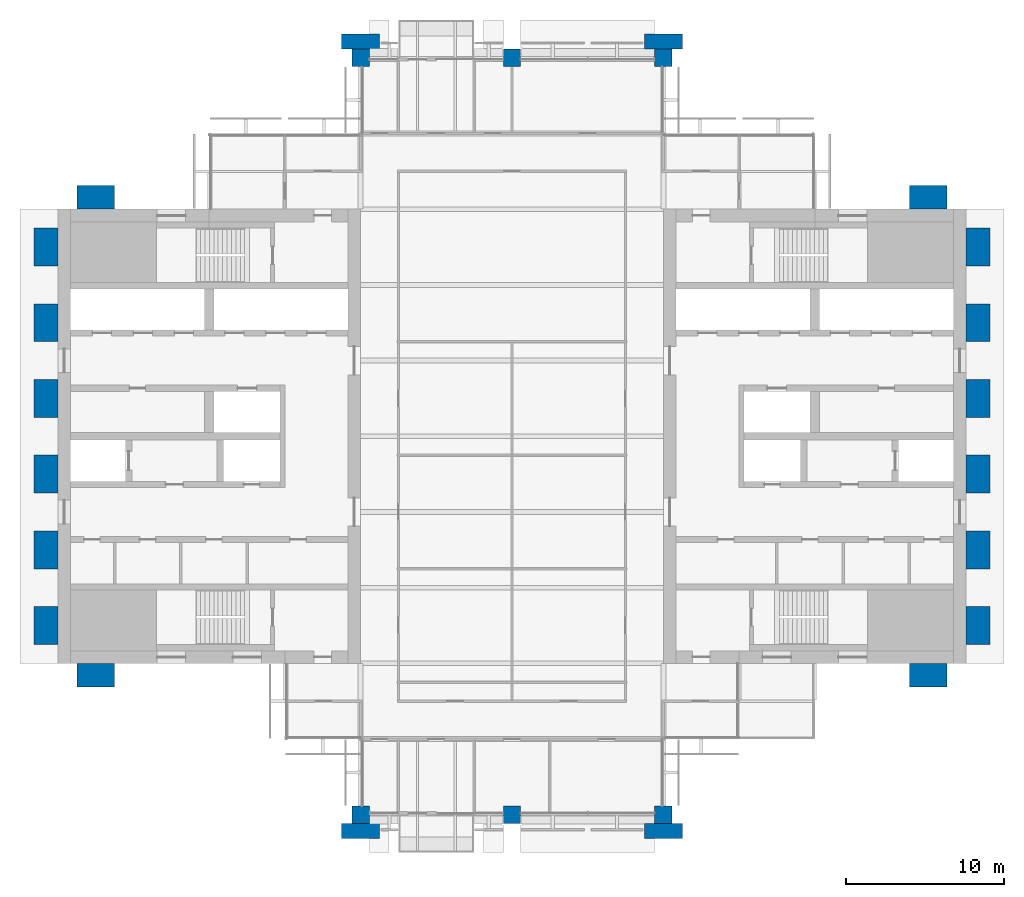
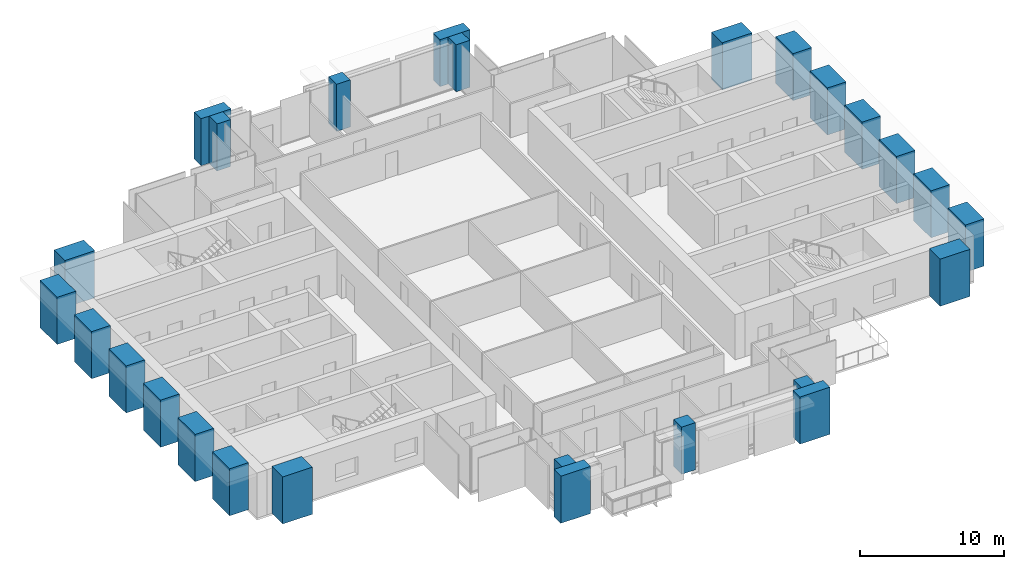
# One storey, part 1 of 14: 26 columns.
"""IFC4 building model written with IfcOpenShell, lengths in metres."""

from ifc_helpers import new_model, si_unit, direction, frame, origin, origin_2d, place, context, subcontext, project, spatial, rectangle, extrude, material, material_profile, profile_set, type_object, element, save


model = new_model("IFC4")

# Units and contexts
model_context = context("Model", 3, precision=1e-05, world=origin(), true_north=direction((0.0, 1.0)))
body_context = subcontext(model_context, "Body", "Model", "MODEL_VIEW")
ifc_project = project(units=[si_unit("LENGTHUNIT", "METRE"), si_unit("AREAUNIT", "SQUARE_METRE"), si_unit("VOLUMEUNIT", "CUBIC_METRE"), si_unit("PLANEANGLEUNIT", "RADIAN"), si_unit("MASSUNIT", "GRAM", prefix="KILO")], contexts=[model_context])

# Site, building, storey
site_placement = place(None, origin())
site = spatial("IfcSite", under=ifc_project, at=site_placement, CompositionType="ELEMENT")
building_placement = place(site_placement, origin())
building = spatial("IfcBuilding", under=site, at=building_placement, Name="Baori Bourse Tower", CompositionType="ELEMENT")
storey_placement = place(building_placement, frame((0.0, 0.0, 233.199951171875)))
storey = spatial("IfcBuildingStorey", under=building, at=storey_placement, Name="L51", CompositionType="ELEMENT", Elevation=233.199951171875)

# Columns
ifc_material_1 = material(Name="Concrete f'c 60 MPa", Category="concrete")
ifc_material_profile_1 = material_profile(ifc_material_1, rectangle(XDim=2.39990234375, YDim=0.949951171875, at=origin_2d()), Name="RC 2400x950")
ifc_profile_set_1 = profile_set([ifc_material_profile_1], Name="Concrete f'c 60 MPa")
column_type_1 = type_object("IfcColumnType", Name="FN3 Brick pilaster 2400x950", PredefinedType="PILASTER", material=ifc_profile_set_1)
for number, where, z_axis, x_axis, name in (
    (1, (19.199951171875, -1.02490234375, 0.0), (0.0, 0.0, 1.0), (1.0, 0.0, 0.0), "Brick pilaster L51 17"),
    (2, (38.39990234375, -1.02490234375, 0.0), (0.0, 0.0, 1.0), (1.0, 0.0, 0.0), "Brick pilaster L51 18"),
    (3, (19.199951171875, 49.02490234375, 0.0), (0.0, 0.0, 1.0), (1.0, 0.0, 0.0), "Brick pilaster L51 19"),
    (4, (38.39990234375, 49.02490234375, 0.0), (0.0, 0.0, 1.0), (1.0, 0.0, 0.0), "Brick pilaster L51 20"),
):
    element("IfcColumn", number, at=place(storey_placement, frame(where, z_axis=z_axis, x_axis=x_axis)), inside=storey, type_object=column_type_1, Name=name, PredefinedType="PILASTER", context=body_context, shape_type="SweptSolid", body=[
        extrude(rectangle(XDim=2.39990234375, YDim=0.949951171875, at=origin_2d()), origin(), (0.0, 0.0, 1.0), 4.0),
    ])
ifc_material_2 = material(Name="Concrete f'c 60 MPa", Category="concrete")
ifc_material_profile_2 = material_profile(ifc_material_2, rectangle(XDim=2.39990234375, YDim=1.5, at=origin_2d()), Name="RC 2400x1500")
ifc_profile_set_2 = profile_set([ifc_material_profile_2], Name="Concrete f'c 60 MPa")
column_type_2 = type_object("IfcColumnType", Name="FN4 Brick flank pilaster 2400x1500", PredefinedType="PILASTER", material=ifc_profile_set_2)
for number, where, z_axis, x_axis, name in (
    (5, (55.199951171875, 8.85009765625, 0.0), (0.0, 0.0, 1.0), (1.0, 0.0, 0.0), "Brick pilaster L51 1"),
    (6, (58.35009765625, 12.0, 0.0), (0.0, 0.0, 1.0), (0.0, 1.0, 0.0), "Brick pilaster L51 2"),
    (7, (58.35009765625, 16.800048828125, 0.0), (0.0, 0.0, 1.0), (0.0, 1.0, 0.0), "Brick pilaster L51 3"),
    (8, (58.35009765625, 21.60009765625, 0.0), (0.0, 0.0, 1.0), (0.0, 1.0, 0.0), "Brick pilaster L51 4"),
    (9, (58.35009765625, 26.39990234375, 0.0), (0.0, 0.0, 1.0), (0.0, 1.0, 0.0), "Brick pilaster L51 5"),
    (10, (58.35009765625, 31.199951171875, 0.0), (0.0, 0.0, 1.0), (0.0, 1.0, 0.0), "Brick pilaster L51 6"),
    (11, (58.35009765625, 36.0, 0.0), (0.0, 0.0, 1.0), (0.0, 1.0, 0.0), "Brick pilaster L51 7"),
    (12, (55.199951171875, 39.14990234375, 0.0), (0.0, 0.0, 1.0), (1.0, 0.0, 0.0), "Brick pilaster L51 8"),
    (13, (2.39990234375, 39.14990234375, 0.0), (0.0, 0.0, 1.0), (1.0, 0.0, 0.0), "Brick pilaster L51 9"),
    (14, (-0.75, 12.0, 0.0), (0.0, 0.0, 1.0), (0.0, 1.0, 0.0), "Brick pilaster L51 10"),
    (15, (-0.75, 16.800048828125, 0.0), (0.0, 0.0, 1.0), (0.0, 1.0, 0.0), "Brick pilaster L51 11"),
    (16, (-0.75, 21.60009765625, 0.0), (0.0, 0.0, 1.0), (0.0, 1.0, 0.0), "Brick pilaster L51 12"),
    (17, (-0.75, 26.39990234375, 0.0), (0.0, 0.0, 1.0), (0.0, 1.0, 0.0), "Brick pilaster L51 13"),
    (18, (-0.75, 31.199951171875, 0.0), (0.0, 0.0, 1.0), (0.0, 1.0, 0.0), "Brick pilaster L51 14"),
    (19, (-0.75, 36.0, 0.0), (0.0, 0.0, 1.0), (0.0, 1.0, 0.0), "Brick pilaster L51 15"),
    (20, (2.39990234375, 8.85009765625, 0.0), (0.0, 0.0, 1.0), (1.0, 0.0, 0.0), "Brick pilaster L51 16"),
):
    element("IfcColumn", number, at=place(storey_placement, frame(where, z_axis=z_axis, x_axis=x_axis)), inside=storey, type_object=column_type_2, Name=name, PredefinedType="PILASTER", context=body_context, shape_type="SweptSolid", body=[
        extrude(rectangle(XDim=2.39990234375, YDim=1.5, at=origin_2d()), origin(), (0.0, 0.0, 1.0), 4.0),
    ])
ifc_material_3 = material(Name="Concrete f'c 50 MPa", Category="concrete")
ifc_material_profile_3 = material_profile(ifc_material_3, rectangle(XDim=1.10009765625, YDim=1.10009765625, at=origin_2d()), Name="RC 1100x1100")
ifc_profile_set_3 = profile_set([ifc_material_profile_3], Name="Concrete f'c 50 MPa")
column_type_3 = type_object("IfcColumnType", Name="Perimeter column 50 RC 1100x1100", PredefinedType="COLUMN", material=ifc_profile_set_3)
for number, where, z_axis, x_axis, name in (
    (21, (19.199951171875, 0.0, 0.0), (0.0, 0.0, 1.0), (1.0, 0.0, 0.0), "Perimeter column L51"),
    (22, (28.800048828125, 0.0, 0.0), (0.0, 0.0, 1.0), (1.0, 0.0, 0.0), "Perimeter column L51"),
    (23, (38.39990234375, 0.0, 0.0), (0.0, 0.0, 1.0), (1.0, 0.0, 0.0), "Perimeter column L51"),
    (24, (19.199951171875, 48.0, 0.0), (0.0, 0.0, 1.0), (1.0, 0.0, 0.0), "Perimeter column L51"),
    (25, (28.800048828125, 48.0, 0.0), (0.0, 0.0, 1.0), (1.0, 0.0, 0.0), "Perimeter column L51"),
    (26, (38.39990234375, 48.0, 0.0), (0.0, 0.0, 1.0), (1.0, 0.0, 0.0), "Perimeter column L51"),
):
    element("IfcColumn", number, at=place(storey_placement, frame(where, z_axis=z_axis, x_axis=x_axis)), inside=storey, type_object=column_type_3, Name=name, PredefinedType="COLUMN", context=body_context, shape_type="SweptSolid", body=[
        extrude(rectangle(XDim=1.10009765625, YDim=1.10009765625, at=origin_2d()), origin(), (0.0, 0.0, 1.0), 4.0),
    ])

save(model, "model.ifc")
